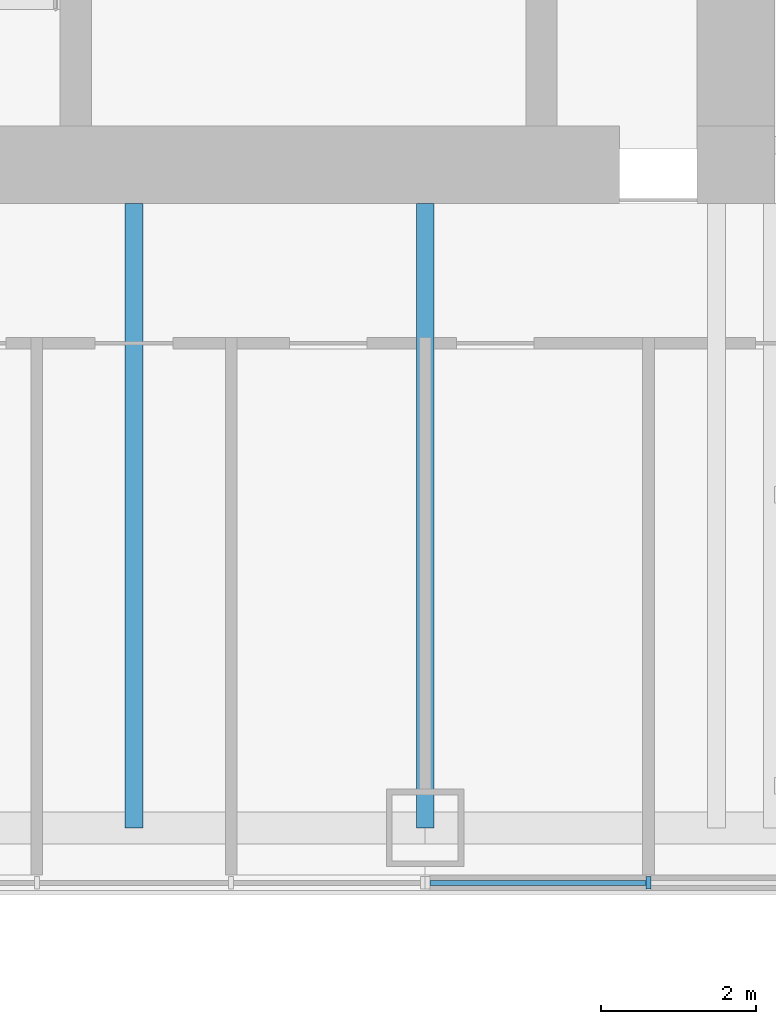
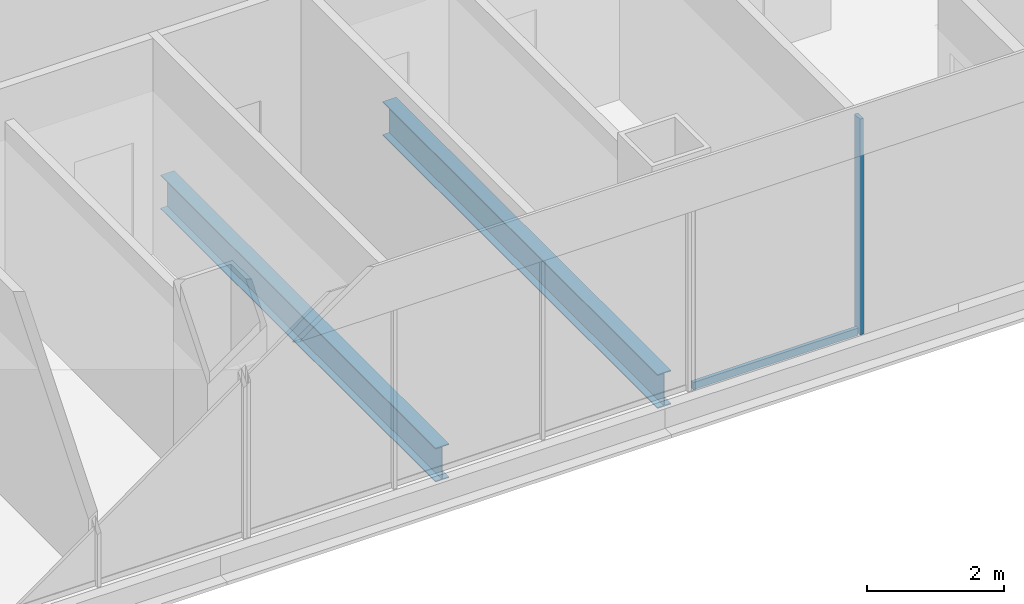
# One storey, part 3 of 14: 2 beams, 2 members, 1 element without a shape of its own.
"""IFC4 building model written with IfcOpenShell, lengths in metres."""

from ifc_helpers import new_model, si_unit, direction, frame, origin, origin_2d, place, context, subcontext, project, spatial, rectangle, i_section, extrude, material, material_profile, profile_set, type_object, element, aggregate, save


model = new_model("IFC4")

# Units and contexts
model_context = context("Model", 3, precision=1e-05, world=origin(), true_north=direction((0.0, 1.0)))
body_context = subcontext(model_context, "Body", "Model", "MODEL_VIEW")
ifc_project = project(units=[si_unit("LENGTHUNIT", "METRE"), si_unit("AREAUNIT", "SQUARE_METRE"), si_unit("VOLUMEUNIT", "CUBIC_METRE"), si_unit("PLANEANGLEUNIT", "RADIAN"), si_unit("MASSUNIT", "GRAM", prefix="KILO")], contexts=[model_context])

# Site, building, storey
site_placement = place(None, origin())
site = spatial("IfcSite", under=ifc_project, at=site_placement, CompositionType="ELEMENT")
building_placement = place(site_placement, origin())
building = spatial("IfcBuilding", under=site, at=building_placement, Name="Tarangal Relay Tower", CompositionType="ELEMENT")
storey_placement = place(building_placement, frame((0.0, 0.0, 303.89990234375)))
storey = spatial("IfcBuildingStorey", under=building, at=storey_placement, Name="L67", CompositionType="ELEMENT", Elevation=303.89990234375)

# Beams
ifc_material_1 = material(Name="Steel ASTM A992", Category="steel")
ifc_material_profile_1 = material_profile(ifc_material_1, i_section(OverallWidth=0.228271484375, OverallDepth=0.607177734375, WebThickness=0.01123046875, FlangeThickness=0.017333984375, at=origin_2d()), Name="W24X76")
ifc_profile_set_1 = profile_set([ifc_material_profile_1], Name="Steel ASTM A992")
beam_type = type_object("IfcBeamType", Name="Floor beam W24X76", PredefinedType="BEAM", material=ifc_profile_set_1)
for number, where, z_axis, x_axis, name in (
    (1, (7.5, -12.0, -0.453369140625), (0.0, -1.0, 0.0), (1.0, 0.0, 0.0), "Floor beam RB5 S L67"),
    (2, (3.75, -12.0, -0.453369140625), (0.0, -1.0, 0.0), (1.0, 0.0, 0.0), "Floor beam RB5 S L67"),
):
    element("IfcBeam", number, at=place(storey_placement, frame(where, z_axis=z_axis, x_axis=x_axis)), inside=storey, type_object=beam_type, Name=name, PredefinedType="BEAM", context=body_context, shape_type="SweptSolid", body=[
        extrude(i_section(OverallWidth=0.228271484375, OverallDepth=0.607177734375, WebThickness=0.01123046875, FlangeThickness=0.017333984375, at=origin_2d()), origin(), (0.0, 0.0, 1.0), 8.0400390625),
    ])

# Curtain wall, members
ifc_material_2 = material(Name="Unitised curtain wall frame, black aluminium, with metal clad infill walls", Category="aluminium")
curtain_wall_type = type_object("IfcCurtainWallType", Name="Curtain wall CW-BO", PredefinedType="USERDEFINED", material=ifc_material_2)
curtain_wall_placement = place(storey_placement, origin())
curtain_wall = element("IfcCurtainWall", 3, at=curtain_wall_placement, inside=storey, type_object=curtain_wall_type, Name="Curtain wall CW-BO S facade L67", ObjectType="UNITISED CURTAIN WALL", PredefinedType="USERDEFINED")
ifc_material_3 = material(Name="Black anodised aluminium mullion", Category="aluminium")
ifc_material_profile_2 = material_profile(ifc_material_3, rectangle(XDim=0.159912109375, YDim=0.06005859375, at=origin_2d()), Name="CW-BOM 60X160")
ifc_profile_set_2 = profile_set([ifc_material_profile_2], Name="Black anodised aluminium mullion")
member_type_1 = type_object("IfcMemberType", Name="Mullion CW-BO 60 x 160", PredefinedType="MULLION", material=ifc_profile_set_2)
member_1_placement = place(storey_placement, frame((10.375, -20.75, 0.0), z_axis=(0.0, 0.0, 1.0), x_axis=(0.0, -1.0, 0.0)))
member_1 = element("IfcMember", 4, at=member_1_placement, type_object=member_type_1, Name="CW-BO mullion 2", PredefinedType="MULLION", context=body_context, shape_type="SweptSolid", body=[
    extrude(rectangle(XDim=0.159912109375, YDim=0.06005859375, at=origin_2d()), origin(), (0.0, 0.0, 1.0), 3.85009765625),
])
ifc_material_4 = material(Name="Black anodised aluminium transom", Category="aluminium")
ifc_material_profile_3 = material_profile(ifc_material_4, rectangle(XDim=0.06005859375, YDim=0.1298828125, at=origin_2d()), Name="CW-BOT 60X130")
ifc_profile_set_3 = profile_set([ifc_material_profile_3], Name="Black anodised aluminium transom")
member_type_2 = type_object("IfcMemberType", Name="Transom CW-BO 60 x 130", PredefinedType="USERDEFINED", material=ifc_profile_set_3)
member_2_placement = place(storey_placement, frame((10.344970703125, -20.75, 0.030029296875), z_axis=(-1.0, 0.0, 0.0), x_axis=(0.0, -1.0, 0.0)))
member_2 = element("IfcMember", 5, at=member_2_placement, type_object=member_type_2, Name="CW-BO transom 2.1", ObjectType="TRANSOM", PredefinedType="USERDEFINED", context=body_context, shape_type="SweptSolid", body=[
    extrude(rectangle(XDim=0.06005859375, YDim=0.1298828125, at=origin_2d()), origin(), (0.0, 0.0, 1.0), 2.784912109375),
])
aggregate(curtain_wall, [member_1, member_2])

save(model, "model.ifc")
